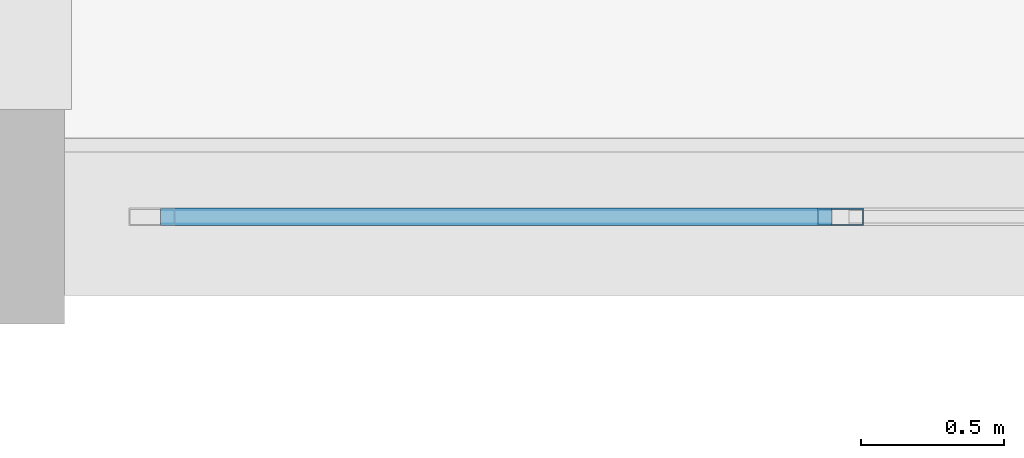
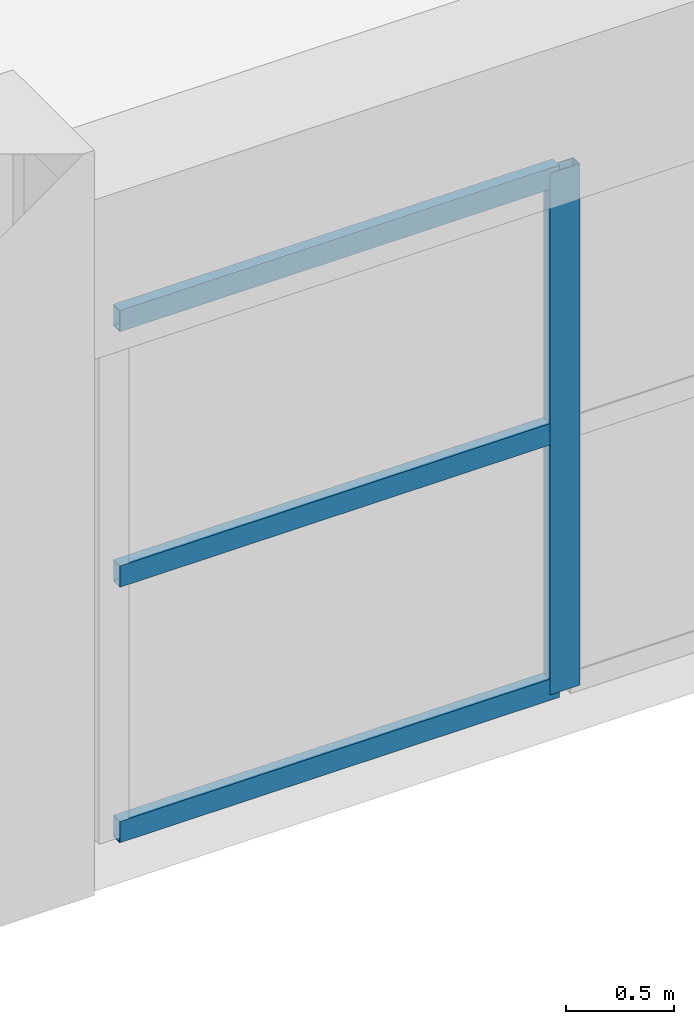
# One storey, part 17 of 71: 4 members, 1 element without a shape of its own.
"""IFC4 building model written with IfcOpenShell, lengths in metres."""

from ifc_helpers import new_model, si_unit, direction, frame, origin, origin_2d, place, context, subcontext, project, spatial, hollow_rectangle, extrude, material, material_profile, profile_set, type_object, element, aggregate, save


model = new_model("IFC4")

# Units and contexts
model_context = context("Model", 3, precision=1e-05, world=origin(), true_north=direction((0.0, 1.0)))
body_context = subcontext(model_context, "Body", "Model", "MODEL_VIEW")
ifc_project = project(units=[si_unit("LENGTHUNIT", "METRE"), si_unit("AREAUNIT", "SQUARE_METRE"), si_unit("VOLUMEUNIT", "CUBIC_METRE"), si_unit("PLANEANGLEUNIT", "RADIAN"), si_unit("MASSUNIT", "GRAM", prefix="KILO")], contexts=[model_context])

# Site, building, storey
site_placement = place(None, origin())
site = spatial("IfcSite", under=ifc_project, at=site_placement, CompositionType="ELEMENT")
building_placement = place(site_placement, origin())
building = spatial("IfcBuilding", under=site, at=building_placement, Name="Korsvaeld Concert Hall", CompositionType="ELEMENT")
storey_placement = place(building_placement, frame((0.0, 0.0, 4.800048828125)))
storey = spatial("IfcBuildingStorey", under=building, at=storey_placement, Name="L01", CompositionType="ELEMENT", Elevation=4.800048828125)

# Curtain wall, members
ifc_material_1 = material(Name="Anodised bronze and ceramic-fritted safety glass", Category="glass")
curtain_wall_type = type_object("IfcCurtainWallType", Name="CW-TYPE-09", PredefinedType="USERDEFINED", material=ifc_material_1)
curtain_wall_placement = place(storey_placement, origin())
curtain_wall = element("IfcCurtainWall", 1, at=curtain_wall_placement, inside=storey, type_object=curtain_wall_type, Name="Wintergarden foyer curtain wall L01-09", ObjectType="CURTAIN WALL", PredefinedType="USERDEFINED")
ifc_material_2 = material(Name="Anodised architectural bronze aluminium", Category="aluminium")
ifc_material_profile_1 = material_profile(ifc_material_2, hollow_rectangle(XDim=0.06005859375, YDim=0.159912109375, WallThickness=0.00390625, at=origin_2d()), Name="CWM 160x60x4")
ifc_profile_set_1 = profile_set([ifc_material_profile_1], Name="Anodised architectural bronze aluminium")
member_type_1 = type_object("IfcMemberType", Name="CWM-ALUM-160x60", PredefinedType="MULLION", material=ifc_profile_set_1)
member_1_placement = place(storey_placement, frame((86.9833984375, 28.800048828125, 0.0), z_axis=(0.0, 0.0, 1.0), x_axis=(0.0, -1.0, 0.0)))
member_1 = element("IfcMember", 2, at=member_1_placement, type_object=member_type_1, Name="CW-09 mullion 3", PredefinedType="MULLION", context=body_context, shape_type="SweptSolid", body=[
    extrude(hollow_rectangle(XDim=0.06005859375, YDim=0.159912109375, WallThickness=0.00390625, at=origin_2d()), origin(), (0.0, 0.0, 1.0), 2.93994140625),
])
ifc_material_profile_2 = material_profile(ifc_material_2, hollow_rectangle(XDim=0.06005859375, YDim=0.1201171875, WallThickness=0.00390625, at=origin_2d()), Name="CWT 120x60x4")
ifc_profile_set_2 = profile_set([ifc_material_profile_2], Name="Anodised architectural bronze aluminium")
member_type_2 = type_object("IfcMemberType", Name="CWT-ALUM-120x60", PredefinedType="USERDEFINED", material=ifc_profile_set_2)
member_2_placement = place(storey_placement, frame((86.953369140625, 28.800048828125, 0.030029296875), z_axis=(-1.0, 0.0, 0.0), x_axis=(0.0, -1.0, 0.0)))
member_2 = element("IfcMember", 3, at=member_2_placement, type_object=member_type_2, Name="CW-09 transom 3.1", ObjectType="TRANSOM", PredefinedType="USERDEFINED", context=body_context, shape_type="SweptSolid", body=[
    extrude(hollow_rectangle(XDim=0.06005859375, YDim=0.1201171875, WallThickness=0.00390625, at=origin_2d()), origin(), (0.0, 0.0, 1.0), 2.34326171875),
])
member_3_placement = place(storey_placement, frame((86.953369140625, 28.800048828125, 1.469970703125), z_axis=(-1.0, 0.0, 0.0), x_axis=(0.0, -1.0, 0.0)))
member_3 = element("IfcMember", 4, at=member_3_placement, type_object=member_type_2, Name="CW-09 transom 3.2", ObjectType="TRANSOM", PredefinedType="USERDEFINED", context=body_context, shape_type="SweptSolid", body=[
    extrude(hollow_rectangle(XDim=0.06005859375, YDim=0.1201171875, WallThickness=0.00390625, at=origin_2d()), origin(), (0.0, 0.0, 1.0), 2.34326171875),
])
member_4_placement = place(storey_placement, frame((86.953369140625, 28.800048828125, 2.909912109375), z_axis=(-1.0, 0.0, 0.0), x_axis=(0.0, -1.0, 0.0)))
member_4 = element("IfcMember", 5, at=member_4_placement, type_object=member_type_2, Name="CW-09 transom 3.3", ObjectType="TRANSOM", PredefinedType="USERDEFINED", context=body_context, shape_type="SweptSolid", body=[
    extrude(hollow_rectangle(XDim=0.06005859375, YDim=0.1201171875, WallThickness=0.00390625, at=origin_2d()), origin(), (0.0, 0.0, 1.0), 2.34326171875),
])
aggregate(curtain_wall, [member_1, member_2, member_3, member_4])

save(model, "model.ifc")
